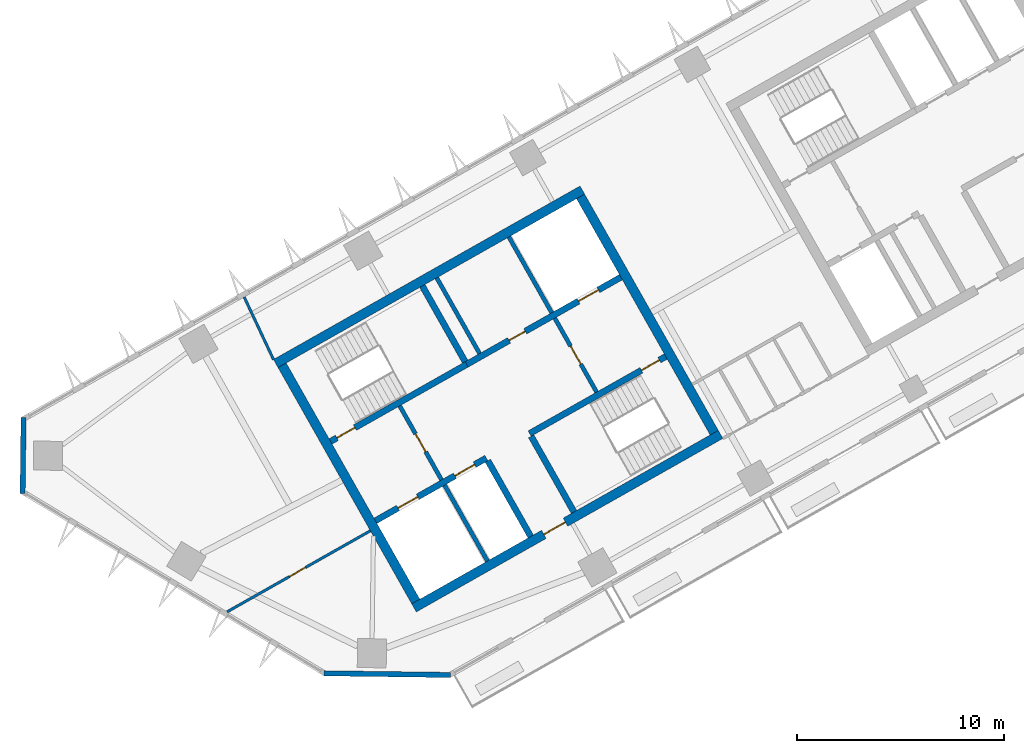
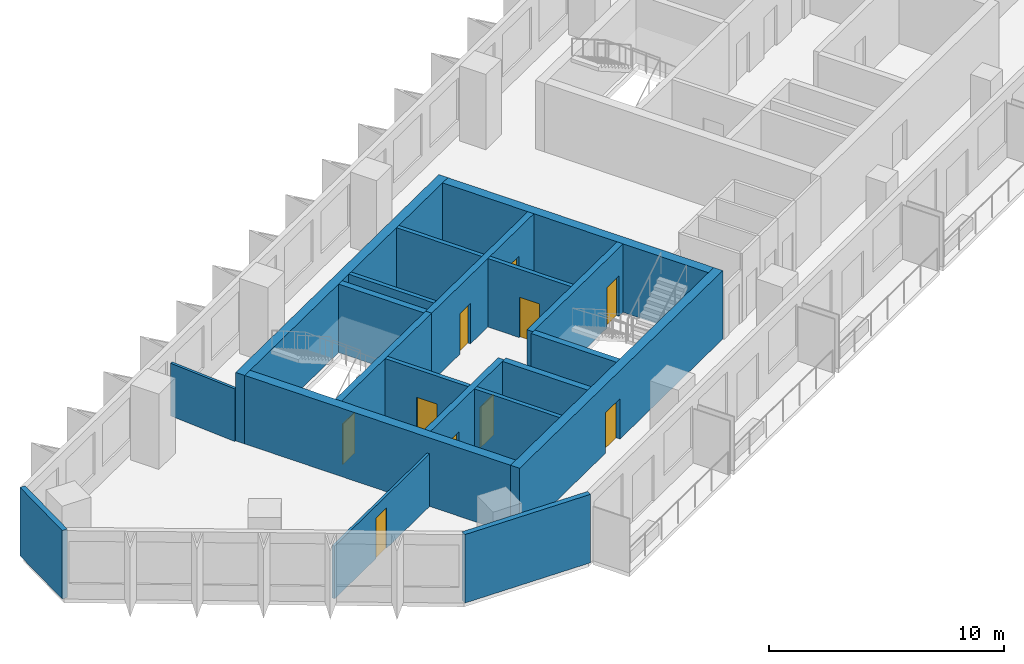
# One storey, part 3 of 12: 20 walls, 10 doors, 10 openings.
"""IFC4 building model written with IfcOpenShell, lengths in metres."""

import ifcopenshell
import ifcopenshell.guid

model = None  # the IFC model being written
_history = None  # IfcOwnerHistory: only IFC2X3 demands one
_inside = {}  # id of a spatial element -> (the spatial element, [elements in it])
_under = {}  # id of a project, library or spatial element -> (it, [spatial elements below it])
_declared = {}  # id of a project -> (the project, [libraries it declares])
_typed = {}  # id of a type object -> (the type object, [elements of that type])
_made_of = {}  # id of a material, layer set ... -> (it, [elements and type objects made of it])


def new_model(schema):
    """Start an empty IFC model of exactly this schema.

    Asked for "IFC4X3", IfcOpenShell would pick the latest addendum, in which some entities
    have other attributes; the version numbers below select the first issue.
    IFC2X3 requires an IfcOwnerHistory on every rooted entity: one is made here for all.
    """
    global model, _history
    if schema == "IFC4X3":
        model = ifcopenshell.file(schema_version=(4, 3, 0, 0))
    else:
        model = ifcopenshell.file(schema=schema)
    _inside.clear()
    _under.clear()
    _declared.clear()
    _typed.clear()
    _made_of.clear()
    _history = None
    if model.schema == "IFC2X3":
        org = make("IfcOrganization", Name="unknown")
        user = make(
            "IfcPersonAndOrganization",
            ThePerson=make("IfcPerson", FamilyName="unknown"),
            TheOrganization=org,
        )
        app = make(
            "IfcApplication",
            ApplicationDeveloper=org,
            Version="unknown",
            ApplicationFullName="unknown",
            ApplicationIdentifier="unknown",
        )
        _history = make(
            "IfcOwnerHistory",
            OwningUser=user,
            OwningApplication=app,
            ChangeAction="ADDED",
            CreationDate=0,
        )
    return model


def make(cls, **values):
    """One entity of the class cls with the attributes given. An attribute that is None is left unset."""
    return model.create_entity(
        cls, **{name: value for name, value in values.items() if value is not None}
    )


def rooted(cls, **values):
    """An entity with a GlobalId (a new one), such as an element, a storey or a relation."""
    return make(cls, GlobalId=ifcopenshell.guid.new(), OwnerHistory=_history, **values)


def si_unit(unit_type, name, prefix=None):
    """IfcSIUnit, for example si_unit("LENGTHUNIT", "METRE", prefix="MILLI")."""
    return make("IfcSIUnit", UnitType=unit_type, Prefix=prefix, Name=name)


def assignment(units):
    """IfcUnitAssignment: the units of a project."""
    return None if units is None else make("IfcUnitAssignment", Units=units)


def point(xyz):
    """IfcCartesianPoint."""
    return None if xyz is None else make("IfcCartesianPoint", Coordinates=xyz)


def direction(xyz):
    """IfcDirection."""
    return None if xyz is None else make("IfcDirection", DirectionRatios=xyz)


def frame(location, z_axis=None, x_axis=None):
    """IfcAxis2Placement3D, a coordinate frame: its origin and axes. An axis left out is left unset."""
    return make(
        "IfcAxis2Placement3D",
        Location=point(location),
        Axis=direction(z_axis),
        RefDirection=direction(x_axis),
    )


def frame_2d(location, x_axis=None):
    """IfcAxis2Placement2D, a coordinate frame in the plane: its origin and x axis."""
    return make(
        "IfcAxis2Placement2D", Location=point(location), RefDirection=direction(x_axis)
    )


def origin():
    """The frame at (0, 0, 0) with its axes left unset."""
    return frame((0.0, 0.0, 0.0))


def place(relative_to, where):
    """IfcLocalPlacement: puts the frame where relative to a parent placement (None: the world)."""
    return make(
        "IfcLocalPlacement", PlacementRelTo=relative_to, RelativePlacement=where
    )


def context(
    kind, dimensions, precision=None, world=None, true_north=None, identifier=None
):
    """IfcGeometricRepresentationContext, for example the 3D "Model" context."""
    return make(
        "IfcGeometricRepresentationContext",
        ContextIdentifier=identifier,
        ContextType=kind,
        CoordinateSpaceDimension=dimensions,
        Precision=precision,
        WorldCoordinateSystem=world,
        TrueNorth=true_north,
    )


def subcontext(parent, identifier, kind, view, scale=None):
    """IfcGeometricRepresentationSubContext, for example "Body" below "Model"."""
    return make(
        "IfcGeometricRepresentationSubContext",
        ContextIdentifier=identifier,
        ContextType=kind,
        ParentContext=parent,
        TargetScale=scale,
        TargetView=view,
    )


def project(units=None, contexts=None):
    """IfcProject with its units and contexts."""
    return rooted(
        "IfcProject",
        Name="project",
        RepresentationContexts=contexts,
        UnitsInContext=assignment(units),
    )


def spatial(cls, under=None, at=None, **own):
    """A site, building, storey or space (cls), placed at a placement, below another one or the project."""
    s = rooted(cls, ObjectPlacement=at, **own)
    if under is not None:
        _under.setdefault(under.id(), (under, []))[1].append(s)
    return s


def profile(cls, at=None, kind="AREA", **sizes):
    """A parametric profile (cls). Its sizes go by their IFC names, for example OverallWidth=200.0."""
    return make(cls, ProfileType=kind, Position=at, **sizes)


def rectangle(**sizes):
    """IfcRectangleProfileDef."""
    return profile("IfcRectangleProfileDef", **sizes)


def extrude(swept, where, along, depth):
    """IfcExtrudedAreaSolid: the profile swept, set in the frame where, extruded along a direction by depth."""
    return make(
        "IfcExtrudedAreaSolid",
        SweptArea=swept,
        Position=where,
        ExtrudedDirection=direction(along),
        Depth=depth,
    )


def shape(context_of_items, identifier, shape_type, items):
    """IfcShapeRepresentation: the items that make up one representation, for example the "Body"."""
    return make(
        "IfcShapeRepresentation",
        ContextOfItems=context_of_items,
        RepresentationIdentifier=identifier,
        RepresentationType=shape_type,
        Items=items,
    )


def material(Name=None, Category=None):
    """IfcMaterial."""
    return make("IfcMaterial", Name=Name, Category=Category)


def layer(
    of_material, thickness, ventilated=None, Name=None, Category=None, Priority=None
):
    """IfcMaterialLayer: one layer of a wall or slab, of a material (None: an air gap)."""
    return make(
        "IfcMaterialLayer",
        Material=of_material,
        LayerThickness=thickness,
        IsVentilated=ventilated,
        Name=Name,
        Category=Category,
        Priority=Priority,
    )


def layer_set(layers, Name=None):
    """IfcMaterialLayerSet."""
    return make("IfcMaterialLayerSet", MaterialLayers=layers, LayerSetName=Name)


def made_of(thing, what):
    """Note that an element or type object is made of a material, layer set ...; save() writes the relation."""
    if what is not None:
        _made_of.setdefault(what.id(), (what, []))[1].append(thing)
    return thing


def type_object(cls, material=None, **own):
    """A type object (cls), such as IfcWallType, which elements share."""
    return made_of(rooted(cls, **own), material)


def element(
    cls,
    number,
    at=None,
    inside=None,
    cuts=None,
    type_object=None,
    material=None,
    context=None,
    identifier="Body",
    shape_type=None,
    held_by="IfcProductDefinitionShape",
    body=None,
    shapes=None,
    **own,
):
    """One element of the class cls, such as IfcWall. Its Tag is "e" and its number.

    at: its placement. inside: the storey or other place that contains it. cuts: it is an
    opening in that element (IfcRelVoidsElement). A single representation is given by context,
    identifier, shape_type and body (its items); several are given by shapes. held_by: the class
    of the entity that holds the representations. save() writes the other relations.
    """
    e = rooted(cls, Tag="e%d" % number, ObjectPlacement=at, **own)
    if body is not None:
        shapes = [shape(context, identifier, shape_type, body)]
    if shapes is not None:
        e.Representation = make(held_by, Representations=shapes)
    if inside is not None:
        _inside.setdefault(inside.id(), (inside, []))[1].append(e)
    if cuts is not None:
        rooted(
            "IfcRelVoidsElement", RelatingBuildingElement=cuts, RelatedOpeningElement=e
        )
    if type_object is not None:
        _typed.setdefault(type_object.id(), (type_object, []))[1].append(e)
    return made_of(e, material)


def fill(opening, filler):
    """IfcRelFillsElement: the door or window that sits in an opening."""
    return rooted(
        "IfcRelFillsElement",
        RelatingOpeningElement=opening,
        RelatedBuildingElement=filler,
    )


def aggregate(whole, parts):
    """IfcRelAggregates: a whole, such as a stair, and the parts it consists of."""
    return rooted("IfcRelAggregates", RelatingObject=whole, RelatedObjects=parts)


def save(model, path):
    """Write the relations noted so far, then the file.

    IfcRelAggregates (storeys below a building ...), IfcRelContainedInSpatialStructure (elements
    in a storey), IfcRelDefinesByType, IfcRelAssociatesMaterial and IfcRelDeclares: one each for
    every whole, place, type object, material and project.
    """
    for whole, parts in _under.values():
        aggregate(whole, parts)
    for where, things in _inside.values():
        rooted(
            "IfcRelContainedInSpatialStructure",
            RelatedElements=things,
            RelatingStructure=where,
        )
    for kind, things in _typed.values():
        rooted("IfcRelDefinesByType", RelatedObjects=things, RelatingType=kind)
    for what, things in _made_of.values():
        rooted("IfcRelAssociatesMaterial", RelatedObjects=things, RelatingMaterial=what)
    for by, libraries in _declared.values():
        rooted("IfcRelDeclares", RelatingContext=by, RelatedDefinitions=libraries)
    model.write(path)


model = new_model("IFC4")

# Units and contexts
model_context = context("Model", 3, precision=1e-05, world=origin(), true_north=direction((0.0, 1.0)))
body_context = subcontext(model_context, "Body", "Model", "MODEL_VIEW")
ifc_project = project(units=[si_unit("LENGTHUNIT", "METRE"), si_unit("AREAUNIT", "SQUARE_METRE"), si_unit("VOLUMEUNIT", "CUBIC_METRE"), si_unit("PLANEANGLEUNIT", "RADIAN"), si_unit("MASSUNIT", "GRAM", prefix="KILO")], contexts=[model_context])

# Site, building, storey
site_placement = place(None, origin())
site = spatial("IfcSite", under=ifc_project, at=site_placement, CompositionType="ELEMENT")
building_placement = place(site_placement, origin())
building = spatial("IfcBuilding", under=site, at=building_placement, Name="Binnacle Exchange Tower", CompositionType="ELEMENT")
storey_placement = place(building_placement, frame((0.0, 0.0, 254.300048828125)))
storey = spatial("IfcBuildingStorey", under=building, at=storey_placement, Name="L56", CompositionType="ELEMENT", Elevation=254.300048828125)

# Wall, openings, doors
ifc_material_1 = material(Name="Concrete C70/85", Category="concrete")
ifc_layer_1 = layer(ifc_material_1, 0.300048828125)
ifc_layer_set_1 = layer_set([ifc_layer_1], Name="Core wall - front 300")
wall_type_1 = type_object("IfcWallType", Name="Core wall - front 300", PredefinedType="SOLIDWALL", material=ifc_layer_set_1)
wall_1_placement = place(storey_placement, frame((-41.6865234375, 33.88720703125, 0.0), z_axis=(0.0, 0.0, 1.0), x_axis=(0.870355736587, 0.49242348826, 0.0)))
wall_1 = element("IfcWall", 1, at=wall_1_placement, inside=storey, type_object=wall_type_1, Name="Core wall CRWA2", PredefinedType="SOLIDWALL", context=body_context, shape_type="SweptSolid", body=[
    extrude(rectangle(XDim=6.14990234375, YDim=0.300048828125, at=frame_2d((3.074951171875, 0.0))), origin(), (0.0, 0.0, 1.0), 3.550048828125),
])
opening_1_placement = place(wall_1_placement, frame((1.25, 0.0, 0.0)))
opening_1 = element("IfcOpeningElement", 2, at=opening_1_placement, cuts=wall_1, Name="Opening LD12", PredefinedType="OPENING", context=body_context, shape_type="SweptSolid", body=[
    extrude(rectangle(XDim=1.10009765625, YDim=2.10009765625, at=frame_2d((0.550048828125, 1.050048828125))), frame((0.0, 0.159912109375, 0.0), z_axis=(0.0, -1.0, 0.0), x_axis=(1.0, 0.0, 0.0)), (0.0, 0.0, 1.0), 0.320068359375),
])
opening_2_placement = place(wall_1_placement, frame((4.39990234375, 0.0, 0.0)))
opening_2 = element("IfcOpeningElement", 3, at=opening_2_placement, cuts=wall_1, Name="Opening LD8", PredefinedType="OPENING", context=body_context, shape_type="SweptSolid", body=[
    extrude(rectangle(XDim=1.10009765625, YDim=2.10009765625, at=frame_2d((0.550048828125, 1.050048828125))), frame((0.0, 0.159912109375, 0.0), z_axis=(0.0, -1.0, 0.0), x_axis=(1.0, 0.0, 0.0)), (0.0, 0.0, 1.0), 0.320068359375),
])
ifc_material_2 = material(Name="Steel door leaf", Category="steel")
door_type_1 = type_object("IfcDoorType", Name="Fire door - lift landing 1100", OperationType="NOTDEFINED", PredefinedType="DOOR", material=ifc_material_2)
door_1_placement = place(opening_1_placement, origin())
door_1 = element("IfcDoor", 4, at=door_1_placement, inside=storey, type_object=door_type_1, Name="Landing door LD12 L56", OperationType="DOUBLE_DOOR_SLIDING", OverallHeight=2.10009765625, OverallWidth=1.10009765625, PredefinedType="DOOR", context=body_context, shape_type="SweptSolid", body=[
    extrude(rectangle(XDim=1.10009765625, YDim=2.10009765625, at=frame_2d((0.550048828125, 1.050048828125))), frame((0.0, 0.02490234375, 0.0), z_axis=(0.0, -1.0, 0.0), x_axis=(1.0, 0.0, 0.0)), (0.0, 0.0, 1.0), 0.050048828125),
])
fill(opening_1, door_1)
door_2_placement = place(opening_2_placement, origin())
door_2 = element("IfcDoor", 5, at=door_2_placement, inside=storey, type_object=door_type_1, Name="Landing door LD8 L56", OperationType="DOUBLE_DOOR_SLIDING", OverallHeight=2.10009765625, OverallWidth=1.10009765625, PredefinedType="DOOR", context=body_context, shape_type="SweptSolid", body=[
    extrude(rectangle(XDim=1.10009765625, YDim=2.10009765625, at=frame_2d((0.550048828125, 1.050048828125))), frame((0.0, 0.02490234375, 0.0), z_axis=(0.0, -1.0, 0.0), x_axis=(1.0, 0.0, 0.0)), (0.0, 0.0, 1.0), 0.050048828125),
])
fill(opening_2, door_2)

wall_2_placement = place(storey_placement, frame((-37.281982421875, 41.4345703125, 0.0), z_axis=(0.0, 0.0, 1.0), x_axis=(0.870352688754, 0.492428875248, 0.0)))
wall_2 = element("IfcWall", 6, at=wall_2_placement, inside=storey, type_object=wall_type_1, Name="Core wall CRWA5", PredefinedType="SOLIDWALL", context=body_context, shape_type="SweptSolid", body=[
    extrude(rectangle(XDim=8.5498046875, YDim=0.300048828125, at=frame_2d((4.27490234375, 0.0))), origin(), (0.0, 0.0, 1.0), 3.550048828125),
])
opening_3_placement = place(wall_2_placement, frame((6.199951171875, 0.0, 0.0)))
opening_3 = element("IfcOpeningElement", 7, at=opening_3_placement, cuts=wall_2, Name="Opening LD13", PredefinedType="OPENING", context=body_context, shape_type="SweptSolid", body=[
    extrude(rectangle(XDim=1.10009765625, YDim=2.10009765625, at=frame_2d((0.550048828125, 1.050048828125))), frame((0.0, 0.159912109375, 0.0), z_axis=(0.0, -1.0, 0.0), x_axis=(1.0, 0.0, 0.0)), (0.0, 0.0, 1.0), 0.320068359375),
])
opening_4_placement = place(wall_2_placement, frame((2.35009765625, 0.0, 0.0)))
opening_4 = element("IfcOpeningElement", 8, at=opening_4_placement, cuts=wall_2, Name="Opening DA10", PredefinedType="OPENING", context=body_context, shape_type="SweptSolid", body=[
    extrude(rectangle(XDim=0.89990234375, YDim=2.10009765625, at=frame_2d((0.449951171875, 1.050048828125))), frame((0.0, 0.159912109375, 0.0), z_axis=(0.0, -1.0, 0.0), x_axis=(1.0, 0.0, 0.0)), (0.0, 0.0, 1.0), 0.320068359375),
])
door_3_placement = place(opening_3_placement, origin())
door_3 = element("IfcDoor", 9, at=door_3_placement, inside=storey, type_object=door_type_1, Name="Landing door LD13 L56", OperationType="DOUBLE_DOOR_SLIDING", OverallHeight=2.10009765625, OverallWidth=1.10009765625, PredefinedType="DOOR", context=body_context, shape_type="SweptSolid", body=[
    extrude(rectangle(XDim=1.10009765625, YDim=2.10009765625, at=frame_2d((0.550048828125, 1.050048828125))), frame((0.0, 0.02490234375, 0.0), z_axis=(0.0, -1.0, 0.0), x_axis=(1.0, 0.0, 0.0)), (0.0, 0.0, 1.0), 0.050048828125),
])
fill(opening_3, door_3)
door_type_2 = type_object("IfcDoorType", Name="Fire door 900", OperationType="NOTDEFINED", PredefinedType="DOOR", material=ifc_material_2)
door_4_placement = place(opening_4_placement, origin())
door_4 = element("IfcDoor", 10, at=door_4_placement, inside=storey, type_object=door_type_2, Name="Core room door PANTRY", OperationType="SINGLE_SWING_LEFT", OverallHeight=2.10009765625, OverallWidth=0.89990234375, PredefinedType="DOOR", context=body_context, shape_type="SweptSolid", body=[
    extrude(rectangle(XDim=0.89990234375, YDim=2.10009765625, at=frame_2d((0.449951171875, 1.050048828125))), frame((0.0, 0.02490234375, 0.0), z_axis=(0.0, -1.0, 0.0), x_axis=(1.0, 0.0, 0.0)), (0.0, 0.0, 1.0), 0.050048828125),
])
fill(opening_4, door_4)

# Wall
wall_3_placement = place(storey_placement, frame((-36.260009765625, 36.784912109375, 0.0), z_axis=(0.0, 0.0, 1.0), x_axis=(0.492409653846, -0.870363563575, 0.0)))
element("IfcWall", 11, at=wall_3_placement, inside=storey, type_object=wall_type_1, Name="Core wall CRWA13", PredefinedType="SOLIDWALL", context=body_context, shape_type="SweptSolid", body=[
    extrude(rectangle(XDim=4.199951171875, YDim=0.300048828125, at=frame_2d((2.10009765625, 0.0))), origin(), (0.0, 0.0, 1.0), 3.550048828125),
])

# Wall, opening, door
ifc_layer_2 = layer(ifc_material_1, 0.449951171875)
ifc_layer_set_2 = layer_set([ifc_layer_2], Name="Core wall - outer 450")
wall_type_2 = type_object("IfcWallType", Name="Core wall - outer 450", PredefinedType="SOLIDWALL", material=ifc_layer_set_2)
wall_4_placement = place(storey_placement, frame((-39.825439453125, 29.68359375, 0.0), z_axis=(0.0, 0.0, 1.0), x_axis=(0.870353598469, 0.492427267353, 0.0)))
wall_4 = element("IfcWall", 12, at=wall_4_placement, inside=storey, type_object=wall_type_2, Name="Core wall CRWA1", PredefinedType="SOLIDWALL", context=body_context, shape_type="SweptSolid", body=[
    extrude(rectangle(XDim=17.000244140625, YDim=0.449951171875, at=frame_2d((8.5, 0.0))), origin(), (0.0, 0.0, 1.0), 3.550048828125),
])
opening_5_placement = place(wall_4_placement, frame((7.199951171875, 0.0, 0.0)))
opening_5 = element("IfcOpeningElement", 13, at=opening_5_placement, cuts=wall_4, Name="Opening DA7", PredefinedType="OPENING", context=body_context, shape_type="SweptSolid", body=[
    extrude(rectangle(XDim=1.199951171875, YDim=2.10009765625, at=frame_2d((0.60009765625, 1.050048828125))), frame((0.0, 0.23486328125, 0.0), z_axis=(0.0, -1.0, 0.0), x_axis=(1.0, 0.0, 0.0)), (0.0, 0.0, 1.0), 0.469970703125),
])
door_type_3 = type_object("IfcDoorType", Name="Fire door 1200", OperationType="NOTDEFINED", PredefinedType="DOOR", material=ifc_material_2)
door_5_placement = place(opening_5_placement, frame((1.199951171875, 0.0, 0.0), z_axis=(0.0, 0.0, 1.0), x_axis=(-1.0, 0.0, 0.0)))
door_5 = element("IfcDoor", 14, at=door_5_placement, inside=storey, type_object=door_type_3, Name="Lift lobby entrance door core A", OperationType="SINGLE_SWING_RIGHT", OverallHeight=2.10009765625, OverallWidth=1.199951171875, PredefinedType="DOOR", context=body_context, shape_type="SweptSolid", body=[
    extrude(rectangle(XDim=1.199951171875, YDim=2.10009765625, at=frame_2d((0.60009765625, 1.050048828125))), frame((0.0, 0.02490234375, 0.0), z_axis=(0.0, -1.0, 0.0), x_axis=(1.0, 0.0, 0.0)), (0.0, 0.0, 1.0), 0.050048828125),
])
fill(opening_5, door_5)

# Walls
wall_5_placement = place(storey_placement, frame((-46.497802734375, 41.47705078125, 0.0), z_axis=(0.0, 0.0, 1.0), x_axis=(0.870359753402, 0.492416388494, 0.0)))
element("IfcWall", 15, at=wall_5_placement, inside=storey, type_object=wall_type_2, Name="Core wall CRWA6", PredefinedType="SOLIDWALL", context=body_context, shape_type="SweptSolid", body=[
    extrude(rectangle(XDim=17.0, YDim=0.449951171875, at=frame_2d((8.5, 0.0))), origin(), (0.0, 0.0, 1.0), 3.550048828125),
])
for number, where, z_axis, x_axis, name in (
    (16, (-46.191162109375, 41.391845703125, 0.0), (0.0, 0.0, 1.0), (0.492421378713, -0.870356930107, 0.0), "Core wall CRWA7"),
    (17, (-31.78662109375, 49.54150390625, 0.0), (0.0, 0.0, 1.0), (0.492421378713, -0.870356930107, 0.0), "Core wall CRWA22"),
):
    element("IfcWall", number, at=place(storey_placement, frame(where, z_axis=z_axis, x_axis=x_axis)), inside=storey, type_object=wall_type_2, Name=name, PredefinedType="SOLIDWALL", context=body_context, shape_type="SweptSolid", body=[
        extrude(rectangle(XDim=13.099853515625, YDim=0.449951171875, at=frame_2d((6.5498046875, 0.0))), origin(), (0.0, 0.0, 1.0), 3.550048828125),
    ])

# Wall, opening, door
ifc_layer_3 = layer(ifc_material_1, 0.300048828125)
ifc_layer_set_3 = layer_set([ifc_layer_3], Name="Core wall - stair 300")
wall_type_3 = type_object("IfcWallType", Name="Core wall - stair 300", PredefinedType="SOLIDWALL", material=ifc_layer_set_3)
wall_6_placement = place(storey_placement, frame((-34.2451171875, 38.097412109375, 0.0), z_axis=(0.0, 0.0, 1.0), x_axis=(0.870360409231, 0.492415229297, 0.0)))
wall_6 = element("IfcWall", 18, at=wall_6_placement, inside=storey, type_object=wall_type_3, Name="Core wall CRWA3", PredefinedType="SOLIDWALL", context=body_context, shape_type="SweptSolid", body=[
    extrude(rectangle(XDim=7.550048828125, YDim=0.300048828125, at=frame_2d((3.77490234375, 0.0))), origin(), (0.0, 0.0, 1.0), 3.550048828125),
])
opening_6_placement = place(wall_6_placement, frame((6.199951171875, 0.0, 0.0)))
opening_6 = element("IfcOpeningElement", 19, at=opening_6_placement, cuts=wall_6, Name="Opening DA2", PredefinedType="OPENING", context=body_context, shape_type="SweptSolid", body=[
    extrude(rectangle(XDim=1.0, YDim=2.10009765625, at=frame_2d((0.5, 1.050048828125))), frame((0.0, 0.159912109375, 0.0), z_axis=(0.0, -1.0, 0.0), x_axis=(1.0, 0.0, 0.0)), (0.0, 0.0, 1.0), 0.320068359375),
])
door_type_4 = type_object("IfcDoorType", Name="Fire door 1000", OperationType="NOTDEFINED", PredefinedType="DOOR", material=ifc_material_2)
door_6_placement = place(opening_6_placement, frame((1.0, 0.0, 0.0), z_axis=(0.0, 0.0, 1.0), x_axis=(-1.0, 0.0, 0.0)))
door_6 = element("IfcDoor", 20, at=door_6_placement, inside=storey, type_object=door_type_4, Name="Stair door ST-A2", OperationType="SINGLE_SWING_LEFT", OverallHeight=2.10009765625, OverallWidth=1.0, PredefinedType="DOOR", context=body_context, shape_type="SweptSolid", body=[
    extrude(rectangle(XDim=1.0, YDim=2.10009765625, at=frame_2d((0.5, 1.050048828125))), frame((0.0, 0.02490234375, 0.0), z_axis=(0.0, -1.0, 0.0), x_axis=(1.0, 0.0, 0.0)), (0.0, 0.0, 1.0), 0.050048828125),
])
fill(opening_6, door_6)

wall_7_placement = place(storey_placement, frame((-43.853271484375, 37.716796875, 0.0), z_axis=(0.0, 0.0, 1.0), x_axis=(0.870360409231, 0.492415229297, 0.0)))
wall_7 = element("IfcWall", 21, at=wall_7_placement, inside=storey, type_object=wall_type_3, Name="Core wall CRWA4", PredefinedType="SOLIDWALL", context=body_context, shape_type="SweptSolid", body=[
    extrude(rectangle(XDim=7.550048828125, YDim=0.300048828125, at=frame_2d((3.77490234375, 0.0))), origin(), (0.0, 0.0, 1.0), 3.550048828125),
])
opening_7_placement = place(wall_7_placement, frame((0.35009765625, 0.0, 0.0)))
opening_7 = element("IfcOpeningElement", 22, at=opening_7_placement, cuts=wall_7, Name="Opening DA1", PredefinedType="OPENING", context=body_context, shape_type="SweptSolid", body=[
    extrude(rectangle(XDim=1.0, YDim=2.10009765625, at=frame_2d((0.5, 1.050048828125))), frame((0.0, 0.159912109375, 0.0), z_axis=(0.0, -1.0, 0.0), x_axis=(1.0, 0.0, 0.0)), (0.0, 0.0, 1.0), 0.320068359375),
])
door_7_placement = place(opening_7_placement, origin())
door_7 = element("IfcDoor", 23, at=door_7_placement, inside=storey, type_object=door_type_4, Name="Stair door ST-A1", OperationType="SINGLE_SWING_LEFT", OverallHeight=2.10009765625, OverallWidth=1.0, PredefinedType="DOOR", context=body_context, shape_type="SweptSolid", body=[
    extrude(rectangle(XDim=1.0, YDim=2.10009765625, at=frame_2d((0.5, 1.050048828125))), frame((0.0, 0.02490234375, 0.0), z_axis=(0.0, -1.0, 0.0), x_axis=(1.0, 0.0, 0.0)), (0.0, 0.0, 1.0), 0.050048828125),
])
fill(opening_7, door_7)

# Walls
for number, where, z_axis, x_axis, name in (
    (24, (-39.424072265625, 45.220458984375, 0.0), (0.0, 0.0, 1.0), (0.492409653846, -0.870363563575, 0.0), "Core wall CRWA14"),
    (25, (-34.171142578125, 37.966796875, 0.0), (0.0, 0.0, 1.0), (0.492409653846, -0.870363563575, 0.0), "Core wall CRWA16"),
):
    element("IfcWall", number, at=place(storey_placement, frame(where, z_axis=z_axis, x_axis=x_axis)), inside=storey, type_object=wall_type_3, Name=name, PredefinedType="SOLIDWALL", context=body_context, shape_type="SweptSolid", body=[
        extrude(rectangle(XDim=4.199951171875, YDim=0.300048828125, at=frame_2d((2.10009765625, 0.0))), origin(), (0.0, 0.0, 1.0), 3.550048828125),
    ])
ifc_material_3 = material(Name="Bronze aluminium cladding", Category="aluminium")
ifc_layer_4 = layer(ifc_material_3, 0.25)
ifc_layer_set_4 = layer_set([ifc_layer_4], Name="External wall - window wall 250")
wall_type_4 = type_object("IfcWallType", Name="External wall - window wall 250", PredefinedType="STANDARD", material=ifc_layer_set_4)
wall_8_placement = place(storey_placement, frame((-38.06396484375, 26.44482421875, 0.0), z_axis=(0.0, 0.0, 1.0), x_axis=(-0.999914239143, 0.013096349097, 0.0)))
element("IfcWall", 26, at=wall_8_placement, inside=storey, type_object=wall_type_4, Name="External wall EW-G00 L56", PredefinedType="STANDARD", context=body_context, shape_type="SweptSolid", body=[
    extrude(rectangle(XDim=6.114501953125, YDim=0.25, at=frame_2d((3.05712890625, 0.0))), origin(), (0.0, 0.0, 1.0), 3.550048828125),
])
wall_9_placement = place(storey_placement, frame((-58.717041015625, 35.208251953125, 0.0), z_axis=(0.0, 0.0, 1.0), x_axis=(0.01310512158, 0.999914124207, 0.0)))
element("IfcWall", 27, at=wall_9_placement, inside=storey, type_object=wall_type_4, Name="External wall EW-G09 L56", PredefinedType="STANDARD", context=body_context, shape_type="SweptSolid", body=[
    extrude(rectangle(XDim=3.669921875, YDim=0.25, at=frame_2d((1.8349609375, 0.0))), origin(), (0.0, 0.0, 1.0), 3.550048828125),
])

# Wall, opening, door
ifc_material_4 = material(Name="Masonry block wall", Category="masonry")
ifc_layer_5 = layer(ifc_material_4, 0.199951171875)
ifc_layer_set_5 = layer_set([ifc_layer_5], Name="Fire wall - vestibule 200")
wall_type_5 = type_object("IfcWallType", Name="Fire wall - vestibule 200", PredefinedType="PARTITIONING", material=ifc_layer_set_5)
wall_10_placement = place(storey_placement, frame((-40.515625, 39.4326171875, 0.0), z_axis=(0.0, 0.0, 1.0), x_axis=(0.492453559952, -0.87033872216, 0.0)))
wall_10 = element("IfcWall", 28, at=wall_10_placement, inside=storey, type_object=wall_type_5, Name="Core wall CRWA10", PredefinedType="PARTITIONING", context=body_context, shape_type="SweptSolid", body=[
    extrude(rectangle(XDim=4.099853515625, YDim=0.199951171875, at=frame_2d((2.0498046875, 0.0))), origin(), (0.0, 0.0, 1.0), 3.550048828125),
])
opening_8_placement = place(wall_10_placement, frame((1.550048828125, 0.0, 0.0)))
opening_8 = element("IfcOpeningElement", 29, at=opening_8_placement, cuts=wall_10, Name="Opening DA3", PredefinedType="OPENING", context=body_context, shape_type="SweptSolid", body=[
    extrude(rectangle(XDim=1.0, YDim=2.10009765625, at=frame_2d((0.5, 1.050048828125))), frame((0.0, 0.10986328125, 0.0), z_axis=(0.0, -1.0, 0.0), x_axis=(1.0, 0.0, 0.0)), (0.0, 0.0, 1.0), 0.219970703125),
])
door_8_placement = place(opening_8_placement, frame((1.0, 0.0, 0.0), z_axis=(0.0, 0.0, 1.0), x_axis=(-1.0, 0.0, 0.0)))
door_8 = element("IfcDoor", 30, at=door_8_placement, inside=storey, type_object=door_type_4, Name="Vestibule door VEST-W", OperationType="SINGLE_SWING_LEFT", OverallHeight=2.10009765625, OverallWidth=1.0, PredefinedType="DOOR", context=body_context, shape_type="SweptSolid", body=[
    extrude(rectangle(XDim=1.0, YDim=2.10009765625, at=frame_2d((0.5, 1.050048828125))), frame((0.0, 0.02490234375, 0.0), z_axis=(0.0, -1.0, 0.0), x_axis=(1.0, 0.0, 0.0)), (0.0, 0.0, 1.0), 0.050048828125),
])
fill(opening_8, door_8)

wall_11_placement = place(storey_placement, frame((-33.030517578125, 43.66748046875, 0.0), z_axis=(0.0, 0.0, 1.0), x_axis=(0.492408451753, -0.87036424366, 0.0)))
wall_11 = element("IfcWall", 31, at=wall_11_placement, inside=storey, type_object=wall_type_5, Name="Core wall CRWA19", PredefinedType="PARTITIONING", context=body_context, shape_type="SweptSolid", body=[
    extrude(rectangle(XDim=4.099853515625, YDim=0.199951171875, at=frame_2d((2.0498046875, 0.0))), origin(), (0.0, 0.0, 1.0), 3.550048828125),
])
opening_9_placement = place(wall_11_placement, frame((1.550048828125, 0.0, 0.0)))
opening_9 = element("IfcOpeningElement", 32, at=opening_9_placement, cuts=wall_11, Name="Opening DA4", PredefinedType="OPENING", context=body_context, shape_type="SweptSolid", body=[
    extrude(rectangle(XDim=1.0, YDim=2.10009765625, at=frame_2d((0.5, 1.050048828125))), frame((0.0, 0.10986328125, 0.0), z_axis=(0.0, -1.0, 0.0), x_axis=(1.0, 0.0, 0.0)), (0.0, 0.0, 1.0), 0.219970703125),
])
door_9_placement = place(opening_9_placement, origin())
door_9 = element("IfcDoor", 33, at=door_9_placement, inside=storey, type_object=door_type_4, Name="Vestibule door VEST-E", OperationType="SINGLE_SWING_RIGHT", OverallHeight=2.10009765625, OverallWidth=1.0, PredefinedType="DOOR", context=body_context, shape_type="SweptSolid", body=[
    extrude(rectangle(XDim=1.0, YDim=2.10009765625, at=frame_2d((0.5, 1.050048828125))), frame((0.0, 0.02490234375, 0.0), z_axis=(0.0, -1.0, 0.0), x_axis=(1.0, 0.0, 0.0)), (0.0, 0.0, 1.0), 0.050048828125),
])
fill(opening_9, door_9)

ifc_material_5 = material(Name="Gypsum partition")
ifc_layer_6 = layer(ifc_material_5, 0.125)
ifc_layer_set_6 = layer_set([ifc_layer_6], Name="Partition 125")
wall_type_6 = type_object("IfcWallType", Name="Partition 125", PredefinedType="PARTITIONING", material=ifc_layer_set_6)
wall_12_placement = place(storey_placement, frame((-48.843017578125, 29.493896484375, 0.0), z_axis=(0.0, 0.0, 1.0), x_axis=(0.870384139606, 0.492373282705, 0.0)))
wall_12 = element("IfcWall", 34, at=wall_12_placement, inside=storey, type_object=wall_type_6, Name="Partition W01", PredefinedType="PARTITIONING", context=body_context, shape_type="SweptSolid", body=[
    extrude(rectangle(XDim=7.94140625, YDim=0.125, at=frame_2d((3.970703125, 0.0))), origin(), (0.0, 0.0, 1.0), 2.72998046875),
])
opening_10_placement = place(wall_12_placement, frame((3.449951171875, 0.0, 0.0)))
opening_10 = element("IfcOpeningElement", 35, at=opening_10_placement, cuts=wall_12, Name="Opening DL55-01", PredefinedType="OPENING", context=body_context, shape_type="SweptSolid", body=[
    extrude(rectangle(XDim=0.89990234375, YDim=2.10009765625, at=frame_2d((0.449951171875, 1.050048828125))), frame((0.0, 0.072509765625, 0.0), z_axis=(0.0, -1.0, 0.0), x_axis=(1.0, 0.0, 0.0)), (0.0, 0.0, 1.0), 0.14501953125),
])
ifc_material_6 = material(Name="Timber door leaf", Category="wood")
door_type_5 = type_object("IfcDoorType", Name="Door 900", OperationType="NOTDEFINED", PredefinedType="DOOR", material=ifc_material_6)
door_10_placement = place(opening_10_placement, origin())
door_10 = element("IfcDoor", 36, at=door_10_placement, inside=storey, type_object=door_type_5, Name="Door DL55-01", OperationType="SINGLE_SWING_LEFT", OverallHeight=2.10009765625, OverallWidth=0.89990234375, PredefinedType="DOOR", context=body_context, shape_type="SweptSolid", body=[
    extrude(rectangle(XDim=0.89990234375, YDim=2.10009765625, at=frame_2d((0.449951171875, 1.050048828125))), frame((0.0, 0.02490234375, 0.0), z_axis=(0.0, -1.0, 0.0), x_axis=(1.0, 0.0, 0.0)), (0.0, 0.0, 1.0), 0.050048828125),
])
fill(opening_10, door_10)

# Walls
wall_13_placement = place(storey_placement, frame((-48.02197265625, 44.68701171875, 0.0), z_axis=(0.0, 0.0, 1.0), x_axis=(0.424510917438, -0.905422818895, 0.0)))
element("IfcWall", 37, at=wall_13_placement, inside=storey, type_object=wall_type_6, Name="Partition W02", PredefinedType="PARTITIONING", context=body_context, shape_type="SweptSolid", body=[
    extrude(rectangle(XDim=3.328857421875, YDim=0.125, at=frame_2d((1.66455078125, 0.0))), origin(), (0.0, 0.0, 1.0), 2.72998046875),
])
ifc_layer_7 = layer(ifc_material_4, 0.199951171875)
ifc_layer_set_7 = layer_set([ifc_layer_7], Name="Riser wall 200")
wall_type_7 = type_object("IfcWallType", Name="Riser wall 200", PredefinedType="SOLIDWALL", material=ifc_layer_set_7)
wall_14_placement = place(storey_placement, frame((-38.727783203125, 45.614501953125, 0.0), z_axis=(0.0, 0.0, 1.0), x_axis=(0.492409653846, -0.870363563575, 0.0)))
element("IfcWall", 38, at=wall_14_placement, inside=storey, type_object=wall_type_7, Name="Core wall CRWA15", PredefinedType="SOLIDWALL", context=body_context, shape_type="SweptSolid", body=[
    extrude(rectangle(XDim=4.199951171875, YDim=0.199951171875, at=frame_2d((2.10009765625, 0.0))), origin(), (0.0, 0.0, 1.0), 3.550048828125),
])
ifc_layer_8 = layer(ifc_material_4, 0.199951171875)
ifc_layer_set_8 = layer_set([ifc_layer_8], Name="Shaft wall 200")
wall_type_8 = type_object("IfcWallType", Name="Shaft wall 200", PredefinedType="SOLIDWALL", material=ifc_layer_set_8)
for number, where, z_axis, x_axis, name in (
    (39, (-38.348876953125, 35.603271484375, 0.0), (0.0, 0.0, 1.0), (0.492409653846, -0.870363563575, 0.0), "Core wall CRWA9"),
    (40, (-35.246337890625, 47.584228515625, 0.0), (0.0, 0.0, 1.0), (0.492409653846, -0.870363563575, 0.0), "Core wall CRWA21"),
):
    element("IfcWall", number, at=place(storey_placement, frame(where, z_axis=z_axis, x_axis=x_axis)), inside=storey, type_object=wall_type_8, Name=name, PredefinedType="SOLIDWALL", context=body_context, shape_type="SweptSolid", body=[
        extrude(rectangle(XDim=4.199951171875, YDim=0.199951171875, at=frame_2d((2.10009765625, 0.0))), origin(), (0.0, 0.0, 1.0), 3.550048828125),
    ])

save(model, "model.ifc")
